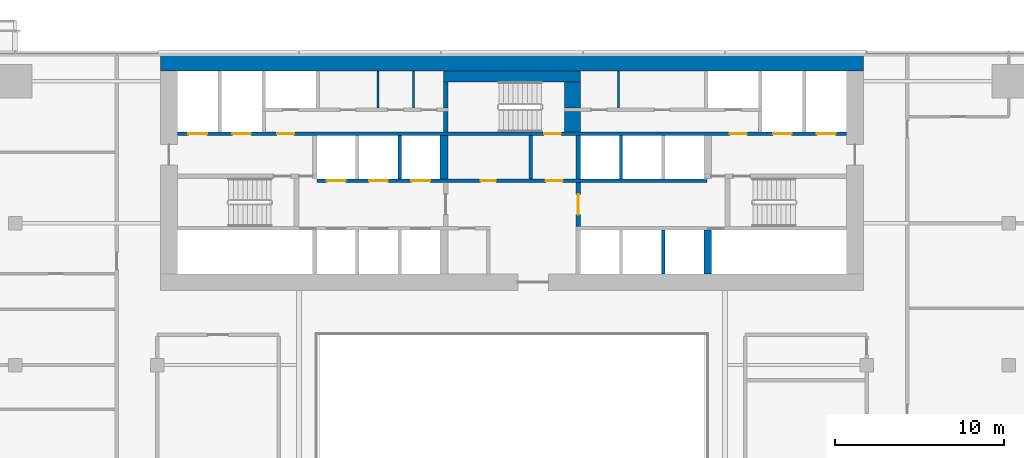
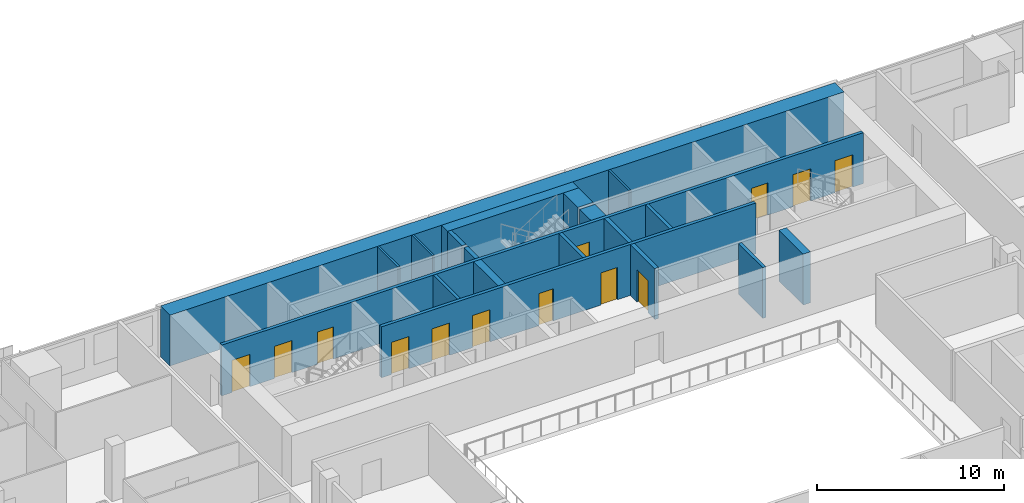
# One storey, part 21 of 29: 19 walls, 13 doors, 13 openings.
"""IFC4 building model written with IfcOpenShell, lengths in metres."""

from ifc_helpers import new_model, si_unit, direction, frame, frame_2d, origin, place, context, subcontext, project, spatial, rectangle, extrude, material, layer, layer_set, type_object, element, fill, save


model = new_model("IFC4")

# Units and contexts
model_context = context("Model", 3, precision=1e-05, world=origin(), true_north=direction((0.0, 1.0)))
body_context = subcontext(model_context, "Body", "Model", "MODEL_VIEW")
ifc_project = project(units=[si_unit("LENGTHUNIT", "METRE"), si_unit("AREAUNIT", "SQUARE_METRE"), si_unit("VOLUMEUNIT", "CUBIC_METRE"), si_unit("PLANEANGLEUNIT", "RADIAN"), si_unit("MASSUNIT", "GRAM", prefix="KILO")], contexts=[model_context])

# Site, building, storey
site_placement = place(None, origin())
site = spatial("IfcSite", under=ifc_project, at=site_placement, CompositionType="ELEMENT")
building_placement = place(site_placement, origin())
building = spatial("IfcBuilding", under=site, at=building_placement, Name="Saffron Gate Tower", CompositionType="ELEMENT")
storey_placement = place(building_placement, frame((0.0, 0.0, 106.050048828125)))
storey = spatial("IfcBuildingStorey", under=building, at=storey_placement, Name="L24", CompositionType="ELEMENT", Elevation=106.050048828125)

# Walls
ifc_material_1 = material(Name="Gypsum board partition on steel studs", Category="steel")
ifc_layer_1 = layer(ifc_material_1, 0.199951171875)
ifc_layer_set_1 = layer_set([ifc_layer_1], Name="CW10 Core partition 200")
wall_type_1 = type_object("IfcWallType", Name="CW10 Core partition 200", PredefinedType="PARTITIONING", material=ifc_layer_set_1)
wall_1_placement = place(storey_placement, frame((88.699951171875, 68.0, 0.0), z_axis=(0.0, 0.0, 1.0), x_axis=(0.0, 1.0, 0.0)))
element("IfcWall", 1, at=wall_1_placement, inside=storey, type_object=wall_type_1, Name="Wall CW10-L24-24", PredefinedType="PARTITIONING", context=body_context, shape_type="SweptSolid", body=[
    extrude(rectangle(XDim=2.60009765625, YDim=0.199951171875, at=frame_2d((1.300048828125, 0.0))), origin(), (0.0, 0.0, 1.0), 3.320068359375),
])
ifc_material_2 = material(Name="Concrete C70", Category="concrete")
ifc_layer_2 = layer(ifc_material_2, 1.0)
ifc_layer_set_2 = layer_set([ifc_layer_2], Name="CW12 RC core wall 1000 C70")
wall_type_2 = type_object("IfcWallType", Name="CW12 RC core wall 1000 C70", PredefinedType="SOLIDWALL", material=ifc_layer_set_2)
wall_2_placement = place(storey_placement, frame((66.800048828125, 74.89990234375, 0.0), z_axis=(0.0, 0.0, 1.0), x_axis=(1.0, 0.0, 0.0)))
element("IfcWall", 2, at=wall_2_placement, inside=storey, type_object=wall_type_2, Name="Wall CW12-L24-2", PredefinedType="SOLIDWALL", context=body_context, shape_type="SweptSolid", body=[
    extrude(rectangle(XDim=41.599853515625, YDim=1.0, at=frame_2d((20.7998046875, 0.0))), origin(), (0.0, 0.0, 1.0), 3.320068359375),
])

# Wall, opening, door
ifc_layer_3 = layer(ifc_material_2, 0.25)
ifc_layer_set_3 = layer_set([ifc_layer_3], Name="CW2 RC core wall 250 C70")
wall_type_3 = type_object("IfcWallType", Name="CW2 RC core wall 250 C70", PredefinedType="SOLIDWALL", material=ifc_layer_set_3)
wall_3_placement = place(storey_placement, frame((91.52490234375, 65.199951171875, 0.0), z_axis=(0.0, 0.0, 1.0), x_axis=(0.0, 1.0, 0.0)))
wall_3 = element("IfcWall", 3, at=wall_3_placement, inside=storey, type_object=wall_type_3, Name="Wall CW2-L24-18", PredefinedType="SOLIDWALL", context=body_context, shape_type="SweptSolid", body=[
    extrude(rectangle(XDim=2.60009765625, YDim=0.25, at=frame_2d((1.300048828125, 0.0))), origin(), (0.0, 0.0, 1.0), 3.320068359375),
])
opening_1_placement = place(wall_3_placement, frame((0.699951171875, 0.0, 0.0)))
opening_1 = element("IfcOpeningElement", 4, at=opening_1_placement, cuts=wall_3, Name="Opening CR-01", PredefinedType="OPENING", context=body_context, shape_type="SweptSolid", body=[
    extrude(rectangle(XDim=1.199951171875, YDim=2.10009765625, at=frame_2d((0.60009765625, 1.050048828125))), frame((0.0, 0.135009765625, 0.0), z_axis=(0.0, -1.0, 0.0), x_axis=(1.0, 0.0, 0.0)), (0.0, 0.0, 1.0), 0.27001953125),
])
ifc_material_3 = material(Name="Steel fire door set", Category="steel")
door_type_1 = type_object("IfcDoorType", Name="CD3 Lobby door 1200x2100 EI 120", OperationType="NOTDEFINED", PredefinedType="DOOR", material=ifc_material_3)
door_1_placement = place(opening_1_placement, origin())
door_1 = element("IfcDoor", 5, at=door_1_placement, inside=storey, type_object=door_type_1, Name="DOOR CR-01", OperationType="SINGLE_SWING_RIGHT", OverallHeight=2.10009765625, OverallWidth=1.199951171875, PredefinedType="DOOR", context=body_context, shape_type="SweptSolid", body=[
    extrude(rectangle(XDim=1.199951171875, YDim=2.10009765625, at=frame_2d((0.60009765625, 1.050048828125))), frame((0.0, 0.02490234375, 0.0), z_axis=(0.0, -1.0, 0.0), x_axis=(1.0, 0.0, 0.0)), (0.0, 0.0, 1.0), 0.050048828125),
])
fill(opening_1, door_1)

# Walls
wall_4_placement = place(storey_placement, frame((91.52490234375, 68.0, 0.0), z_axis=(0.0, 0.0, 1.0), x_axis=(0.0, 1.0, 0.0)))
element("IfcWall", 6, at=wall_4_placement, inside=storey, type_object=wall_type_3, Name="Wall CW2-L24-25", PredefinedType="SOLIDWALL", context=body_context, shape_type="SweptSolid", body=[
    extrude(rectangle(XDim=2.60009765625, YDim=0.25, at=frame_2d((1.300048828125, 0.0))), origin(), (0.0, 0.0, 1.0), 3.320068359375),
])
wall_5_placement = place(storey_placement, frame((83.675048828125, 70.800048828125, 0.0), z_axis=(0.0, 0.0, 1.0), x_axis=(0.0, 1.0, 0.0)))
element("IfcWall", 7, at=wall_5_placement, inside=storey, type_object=wall_type_3, Name="Wall CW2-L24-36", PredefinedType="SOLIDWALL", context=body_context, shape_type="SweptSolid", body=[
    extrude(rectangle(XDim=1.199951171875, YDim=0.25, at=frame_2d((0.60009765625, 0.0))), origin(), (0.0, 0.0, 1.0), 3.320068359375),
])
wall_6_placement = place(storey_placement, frame((83.675048828125, 72.199951171875, 0.0), z_axis=(0.0, 0.0, 1.0), x_axis=(0.0, 1.0, 0.0)))
element("IfcWall", 8, at=wall_6_placement, inside=storey, type_object=wall_type_3, Name="Wall CW2-L24-46", PredefinedType="SOLIDWALL", context=body_context, shape_type="SweptSolid", body=[
    extrude(rectangle(XDim=1.550048828125, YDim=0.25, at=frame_2d((0.77490234375, 0.0))), origin(), (0.0, 0.0, 1.0), 3.320068359375),
])
ifc_layer_4 = layer(ifc_material_2, 0.199951171875)
ifc_layer_set_4 = layer_set([ifc_layer_4], Name="CW3 RC core wall 200 C70")
wall_type_4 = type_object("IfcWallType", Name="CW3 RC core wall 200 C70", PredefinedType="SOLIDWALL", material=ifc_layer_set_4)
wall_7_placement = place(storey_placement, frame((96.550048828125, 62.39990234375, 0.0), z_axis=(0.0, 0.0, 1.0), x_axis=(0.0, 1.0, 0.0)))
element("IfcWall", 9, at=wall_7_placement, inside=storey, type_object=wall_type_4, Name="Wall CW3-L24-12", PredefinedType="SOLIDWALL", context=body_context, shape_type="SweptSolid", body=[
    extrude(rectangle(XDim=2.60009765625, YDim=0.199951171875, at=frame_2d((1.300048828125, 0.0))), origin(), (0.0, 0.0, 1.0), 3.320068359375),
])

# Wall, openings, doors
wall_8_placement = place(storey_placement, frame((76.050048828125, 67.89990234375, 0.0), z_axis=(0.0, 0.0, 1.0), x_axis=(1.0, 0.0, 0.0)))
wall_8 = element("IfcWall", 10, at=wall_8_placement, inside=storey, type_object=wall_type_4, Name="Wall CW3-L24-20", PredefinedType="SOLIDWALL", context=body_context, shape_type="SweptSolid", body=[
    extrude(rectangle(XDim=23.099853515625, YDim=0.199951171875, at=frame_2d((11.5498046875, 0.0))), origin(), (0.0, 0.0, 1.0), 3.320068359375),
])
opening_2_placement = place(wall_8_placement, frame((0.60009765625, 0.0, 0.0)))
opening_2 = element("IfcOpeningElement", 11, at=opening_2_placement, cuts=wall_8, Name="Opening LD-LR4", PredefinedType="OPENING", context=body_context, shape_type="SweptSolid", body=[
    extrude(rectangle(XDim=1.10009765625, YDim=2.10009765625, at=frame_2d((0.550048828125, 1.050048828125))), frame((0.0, 0.10986328125, 0.0), z_axis=(0.0, -1.0, 0.0), x_axis=(1.0, 0.0, 0.0)), (0.0, 0.0, 1.0), 0.219970703125),
])
opening_3_placement = place(wall_8_placement, frame((3.10009765625, 0.0, 0.0)))
opening_3 = element("IfcOpeningElement", 12, at=opening_3_placement, cuts=wall_8, Name="Opening LD-LR5", PredefinedType="OPENING", context=body_context, shape_type="SweptSolid", body=[
    extrude(rectangle(XDim=1.10009765625, YDim=2.10009765625, at=frame_2d((0.550048828125, 1.050048828125))), frame((0.0, 0.10986328125, 0.0), z_axis=(0.0, -1.0, 0.0), x_axis=(1.0, 0.0, 0.0)), (0.0, 0.0, 1.0), 0.219970703125),
])
opening_4_placement = place(wall_8_placement, frame((5.60009765625, 0.0, 0.0)))
opening_4 = element("IfcOpeningElement", 13, at=opening_4_placement, cuts=wall_8, Name="Opening LD-LR6", PredefinedType="OPENING", context=body_context, shape_type="SweptSolid", body=[
    extrude(rectangle(XDim=1.10009765625, YDim=2.10009765625, at=frame_2d((0.550048828125, 1.050048828125))), frame((0.0, 0.10986328125, 0.0), z_axis=(0.0, -1.0, 0.0), x_axis=(1.0, 0.0, 0.0)), (0.0, 0.0, 1.0), 0.219970703125),
])
opening_5_placement = place(wall_8_placement, frame((9.699951171875, 0.0, 0.0)))
opening_5 = element("IfcOpeningElement", 14, at=opening_5_placement, cuts=wall_8, Name="Opening CR-67", PredefinedType="OPENING", context=body_context, shape_type="SweptSolid", body=[
    extrude(rectangle(XDim=0.89990234375, YDim=2.10009765625, at=frame_2d((0.449951171875, 1.050048828125))), frame((0.0, 0.10986328125, 0.0), z_axis=(0.0, -1.0, 0.0), x_axis=(1.0, 0.0, 0.0)), (0.0, 0.0, 1.0), 0.219970703125),
])
opening_6_placement = place(wall_8_placement, frame((13.550048828125, 0.0, 0.0)))
opening_6 = element("IfcOpeningElement", 15, at=opening_6_placement, cuts=wall_8, Name="Opening CR-02", PredefinedType="OPENING", context=body_context, shape_type="SweptSolid", body=[
    extrude(rectangle(XDim=1.0, YDim=2.10009765625, at=frame_2d((0.5, 1.050048828125))), frame((0.0, 0.10986328125, 0.0), z_axis=(0.0, -1.0, 0.0), x_axis=(1.0, 0.0, 0.0)), (0.0, 0.0, 1.0), 0.219970703125),
])
door_type_2 = type_object("IfcDoorType", Name="CD4 Lobby door 1000x2100 EI 120", OperationType="NOTDEFINED", PredefinedType="DOOR", material=ifc_material_3)
door_2_placement = place(opening_6_placement, origin())
door_2 = element("IfcDoor", 16, at=door_2_placement, inside=storey, type_object=door_type_2, Name="DOOR CR-02", OperationType="SINGLE_SWING_LEFT", OverallHeight=2.10009765625, OverallWidth=1.0, PredefinedType="DOOR", context=body_context, shape_type="SweptSolid", body=[
    extrude(rectangle(XDim=1.0, YDim=2.10009765625, at=frame_2d((0.5, 1.050048828125))), frame((0.0, 0.02490234375, 0.0), z_axis=(0.0, -1.0, 0.0), x_axis=(1.0, 0.0, 0.0)), (0.0, 0.0, 1.0), 0.050048828125),
])
fill(opening_6, door_2)
door_type_3 = type_object("IfcDoorType", Name="CD9 Room door 900x2100 EI 60", OperationType="NOTDEFINED", PredefinedType="DOOR", material=ifc_material_3)
door_3_placement = place(opening_5_placement, origin())
door_3 = element("IfcDoor", 17, at=door_3_placement, inside=storey, type_object=door_type_3, Name="DOOR CR-67", OperationType="SINGLE_SWING_LEFT", OverallHeight=2.10009765625, OverallWidth=0.89990234375, PredefinedType="DOOR", context=body_context, shape_type="SweptSolid", body=[
    extrude(rectangle(XDim=0.89990234375, YDim=2.10009765625, at=frame_2d((0.449951171875, 1.050048828125))), frame((0.0, 0.02490234375, 0.0), z_axis=(0.0, -1.0, 0.0), x_axis=(1.0, 0.0, 0.0)), (0.0, 0.0, 1.0), 0.050048828125),
])
fill(opening_5, door_3)
ifc_material_4 = material(Name="Stainless steel landing door", Category="steel")
door_type_4 = type_object("IfcDoorType", Name="LD Lift landing door 1100x2100 EI 120", OperationType="SLIDING_TO_LEFT", PredefinedType="DOOR", material=ifc_material_4)
door_4_placement = place(opening_2_placement, origin())
door_4 = element("IfcDoor", 18, at=door_4_placement, inside=storey, type_object=door_type_4, Name="LANDING DOOR LD-LR4", OperationType="SLIDING_TO_RIGHT", OverallHeight=2.10009765625, OverallWidth=1.10009765625, PredefinedType="DOOR", context=body_context, shape_type="SweptSolid", body=[
    extrude(rectangle(XDim=1.10009765625, YDim=2.10009765625, at=frame_2d((0.550048828125, 1.050048828125))), frame((0.0, 0.02490234375, 0.0), z_axis=(0.0, -1.0, 0.0), x_axis=(1.0, 0.0, 0.0)), (0.0, 0.0, 1.0), 0.050048828125),
])
fill(opening_2, door_4)
door_5_placement = place(opening_3_placement, origin())
door_5 = element("IfcDoor", 19, at=door_5_placement, inside=storey, type_object=door_type_4, Name="LANDING DOOR LD-LR5", OperationType="SLIDING_TO_RIGHT", OverallHeight=2.10009765625, OverallWidth=1.10009765625, PredefinedType="DOOR", context=body_context, shape_type="SweptSolid", body=[
    extrude(rectangle(XDim=1.10009765625, YDim=2.10009765625, at=frame_2d((0.550048828125, 1.050048828125))), frame((0.0, 0.02490234375, 0.0), z_axis=(0.0, -1.0, 0.0), x_axis=(1.0, 0.0, 0.0)), (0.0, 0.0, 1.0), 0.050048828125),
])
fill(opening_3, door_5)
door_6_placement = place(opening_4_placement, origin())
door_6 = element("IfcDoor", 20, at=door_6_placement, inside=storey, type_object=door_type_4, Name="LANDING DOOR LD-LR6", OperationType="SLIDING_TO_RIGHT", OverallHeight=2.10009765625, OverallWidth=1.10009765625, PredefinedType="DOOR", context=body_context, shape_type="SweptSolid", body=[
    extrude(rectangle(XDim=1.10009765625, YDim=2.10009765625, at=frame_2d((0.550048828125, 1.050048828125))), frame((0.0, 0.02490234375, 0.0), z_axis=(0.0, -1.0, 0.0), x_axis=(1.0, 0.0, 0.0)), (0.0, 0.0, 1.0), 0.050048828125),
])
fill(opening_4, door_6)

# Walls
for number, where, z_axis, x_axis, name in (
    (21, (80.949951171875, 68.0, 0.0), (0.0, 0.0, 1.0), (0.0, 1.0, 0.0), "Wall CW3-L24-22"),
    (22, (94.050048828125, 68.0, 0.0), (0.0, 0.0, 1.0), (0.0, 1.0, 0.0), "Wall CW3-L24-26"),
):
    element("IfcWall", number, at=place(storey_placement, frame(where, z_axis=z_axis, x_axis=x_axis)), inside=storey, type_object=wall_type_4, Name=name, PredefinedType="SOLIDWALL", context=body_context, shape_type="SweptSolid", body=[
        extrude(rectangle(XDim=2.60009765625, YDim=0.199951171875, at=frame_2d((1.300048828125, 0.0))), origin(), (0.0, 0.0, 1.0), 3.320068359375),
    ])

# Wall, openings, doors
wall_9_placement = place(storey_placement, frame((67.800048828125, 70.699951171875, 0.0), z_axis=(0.0, 0.0, 1.0), x_axis=(1.0, 0.0, 0.0)))
wall_9 = element("IfcWall", 23, at=wall_9_placement, inside=storey, type_object=wall_type_4, Name="Wall CW3-L24-33", PredefinedType="SOLIDWALL", context=body_context, shape_type="SweptSolid", body=[
    extrude(rectangle(XDim=39.599853515625, YDim=0.199951171875, at=frame_2d((19.7998046875, 0.0))), origin(), (0.0, 0.0, 1.0), 3.320068359375),
])
opening_7_placement = place(wall_9_placement, frame((0.64990234375, 0.0, 0.0)))
opening_7 = element("IfcOpeningElement", 24, at=opening_7_placement, cuts=wall_9, Name="Opening LD-FF1", PredefinedType="OPENING", context=body_context, shape_type="SweptSolid", body=[
    extrude(rectangle(XDim=1.10009765625, YDim=2.10009765625, at=frame_2d((0.550048828125, 1.050048828125))), frame((0.0, 0.10986328125, 0.0), z_axis=(0.0, -1.0, 0.0), x_axis=(1.0, 0.0, 0.0)), (0.0, 0.0, 1.0), 0.219970703125),
])
opening_8_placement = place(wall_9_placement, frame((3.25, 0.0, 0.0)))
opening_8 = element("IfcOpeningElement", 25, at=opening_8_placement, cuts=wall_9, Name="Opening LD-SV1", PredefinedType="OPENING", context=body_context, shape_type="SweptSolid", body=[
    extrude(rectangle(XDim=1.10009765625, YDim=2.10009765625, at=frame_2d((0.550048828125, 1.050048828125))), frame((0.0, 0.10986328125, 0.0), z_axis=(0.0, -1.0, 0.0), x_axis=(1.0, 0.0, 0.0)), (0.0, 0.0, 1.0), 0.219970703125),
])
opening_9_placement = place(wall_9_placement, frame((5.89990234375, 0.0, 0.0)))
opening_9 = element("IfcOpeningElement", 26, at=opening_9_placement, cuts=wall_9, Name="Opening CR-03", PredefinedType="OPENING", context=body_context, shape_type="SweptSolid", body=[
    extrude(rectangle(XDim=1.0, YDim=2.10009765625, at=frame_2d((0.5, 1.050048828125))), frame((0.0, 0.10986328125, 0.0), z_axis=(0.0, -1.0, 0.0), x_axis=(1.0, 0.0, 0.0)), (0.0, 0.0, 1.0), 0.219970703125),
])
opening_10_placement = place(wall_9_placement, frame((21.699951171875, 0.0, 0.0)))
opening_10 = element("IfcOpeningElement", 27, at=opening_10_placement, cuts=wall_9, Name="Opening CR-17", PredefinedType="OPENING", context=body_context, shape_type="SweptSolid", body=[
    extrude(rectangle(XDim=1.0, YDim=2.10009765625, at=frame_2d((0.5, 1.050048828125))), frame((0.0, 0.10986328125, 0.0), z_axis=(0.0, -1.0, 0.0), x_axis=(1.0, 0.0, 0.0)), (0.0, 0.0, 1.0), 0.219970703125),
])
opening_11_placement = place(wall_9_placement, frame((32.699951171875, 0.0, 0.0)))
opening_11 = element("IfcOpeningElement", 28, at=opening_11_placement, cuts=wall_9, Name="Opening CR-04", PredefinedType="OPENING", context=body_context, shape_type="SweptSolid", body=[
    extrude(rectangle(XDim=1.0, YDim=2.10009765625, at=frame_2d((0.5, 1.050048828125))), frame((0.0, 0.10986328125, 0.0), z_axis=(0.0, -1.0, 0.0), x_axis=(1.0, 0.0, 0.0)), (0.0, 0.0, 1.0), 0.219970703125),
])
opening_12_placement = place(wall_9_placement, frame((35.25, 0.0, 0.0)))
opening_12 = element("IfcOpeningElement", 29, at=opening_12_placement, cuts=wall_9, Name="Opening LD-SV2", PredefinedType="OPENING", context=body_context, shape_type="SweptSolid", body=[
    extrude(rectangle(XDim=1.10009765625, YDim=2.10009765625, at=frame_2d((0.550048828125, 1.050048828125))), frame((0.0, 0.10986328125, 0.0), z_axis=(0.0, -1.0, 0.0), x_axis=(1.0, 0.0, 0.0)), (0.0, 0.0, 1.0), 0.219970703125),
])
opening_13_placement = place(wall_9_placement, frame((37.85009765625, 0.0, 0.0)))
opening_13 = element("IfcOpeningElement", 30, at=opening_13_placement, cuts=wall_9, Name="Opening LD-FF2", PredefinedType="OPENING", context=body_context, shape_type="SweptSolid", body=[
    extrude(rectangle(XDim=1.10009765625, YDim=2.10009765625, at=frame_2d((0.550048828125, 1.050048828125))), frame((0.0, 0.10986328125, 0.0), z_axis=(0.0, -1.0, 0.0), x_axis=(1.0, 0.0, 0.0)), (0.0, 0.0, 1.0), 0.219970703125),
])
door_7_placement = place(opening_9_placement, origin())
door_7 = element("IfcDoor", 31, at=door_7_placement, inside=storey, type_object=door_type_2, Name="DOOR CR-03", OperationType="SINGLE_SWING_LEFT", OverallHeight=2.10009765625, OverallWidth=1.0, PredefinedType="DOOR", context=body_context, shape_type="SweptSolid", body=[
    extrude(rectangle(XDim=1.0, YDim=2.10009765625, at=frame_2d((0.5, 1.050048828125))), frame((0.0, 0.02490234375, 0.0), z_axis=(0.0, -1.0, 0.0), x_axis=(1.0, 0.0, 0.0)), (0.0, 0.0, 1.0), 0.050048828125),
])
fill(opening_9, door_7)
door_8_placement = place(opening_11_placement, origin())
door_8 = element("IfcDoor", 32, at=door_8_placement, inside=storey, type_object=door_type_2, Name="DOOR CR-04", OperationType="SINGLE_SWING_RIGHT", OverallHeight=2.10009765625, OverallWidth=1.0, PredefinedType="DOOR", context=body_context, shape_type="SweptSolid", body=[
    extrude(rectangle(XDim=1.0, YDim=2.10009765625, at=frame_2d((0.5, 1.050048828125))), frame((0.0, 0.02490234375, 0.0), z_axis=(0.0, -1.0, 0.0), x_axis=(1.0, 0.0, 0.0)), (0.0, 0.0, 1.0), 0.050048828125),
])
fill(opening_11, door_8)
door_type_5 = type_object("IfcDoorType", Name="CD5 Stair door 1000x2100 EI 120", OperationType="NOTDEFINED", PredefinedType="DOOR", material=ifc_material_3)
door_9_placement = place(opening_10_placement, origin())
door_9 = element("IfcDoor", 33, at=door_9_placement, inside=storey, type_object=door_type_5, Name="DOOR CR-17", OperationType="SINGLE_SWING_RIGHT", OverallHeight=2.10009765625, OverallWidth=1.0, PredefinedType="DOOR", context=body_context, shape_type="SweptSolid", body=[
    extrude(rectangle(XDim=1.0, YDim=2.10009765625, at=frame_2d((0.5, 1.050048828125))), frame((0.0, 0.02490234375, 0.0), z_axis=(0.0, -1.0, 0.0), x_axis=(1.0, 0.0, 0.0)), (0.0, 0.0, 1.0), 0.050048828125),
])
fill(opening_10, door_9)
door_10_placement = place(opening_7_placement, origin())
door_10 = element("IfcDoor", 34, at=door_10_placement, inside=storey, type_object=door_type_4, Name="LANDING DOOR LD-FF1", OperationType="SLIDING_TO_RIGHT", OverallHeight=2.10009765625, OverallWidth=1.10009765625, PredefinedType="DOOR", context=body_context, shape_type="SweptSolid", body=[
    extrude(rectangle(XDim=1.10009765625, YDim=2.10009765625, at=frame_2d((0.550048828125, 1.050048828125))), frame((0.0, 0.02490234375, 0.0), z_axis=(0.0, -1.0, 0.0), x_axis=(1.0, 0.0, 0.0)), (0.0, 0.0, 1.0), 0.050048828125),
])
fill(opening_7, door_10)
door_11_placement = place(opening_8_placement, origin())
door_11 = element("IfcDoor", 35, at=door_11_placement, inside=storey, type_object=door_type_4, Name="LANDING DOOR LD-SV1", OperationType="SLIDING_TO_RIGHT", OverallHeight=2.10009765625, OverallWidth=1.10009765625, PredefinedType="DOOR", context=body_context, shape_type="SweptSolid", body=[
    extrude(rectangle(XDim=1.10009765625, YDim=2.10009765625, at=frame_2d((0.550048828125, 1.050048828125))), frame((0.0, 0.02490234375, 0.0), z_axis=(0.0, -1.0, 0.0), x_axis=(1.0, 0.0, 0.0)), (0.0, 0.0, 1.0), 0.050048828125),
])
fill(opening_8, door_11)
door_12_placement = place(opening_12_placement, origin())
door_12 = element("IfcDoor", 36, at=door_12_placement, inside=storey, type_object=door_type_4, Name="LANDING DOOR LD-SV2", OperationType="SLIDING_TO_RIGHT", OverallHeight=2.10009765625, OverallWidth=1.10009765625, PredefinedType="DOOR", context=body_context, shape_type="SweptSolid", body=[
    extrude(rectangle(XDim=1.10009765625, YDim=2.10009765625, at=frame_2d((0.550048828125, 1.050048828125))), frame((0.0, 0.02490234375, 0.0), z_axis=(0.0, -1.0, 0.0), x_axis=(1.0, 0.0, 0.0)), (0.0, 0.0, 1.0), 0.050048828125),
])
fill(opening_12, door_12)
door_13_placement = place(opening_13_placement, origin())
door_13 = element("IfcDoor", 37, at=door_13_placement, inside=storey, type_object=door_type_4, Name="LANDING DOOR LD-FF2", OperationType="SLIDING_TO_RIGHT", OverallHeight=2.10009765625, OverallWidth=1.10009765625, PredefinedType="DOOR", context=body_context, shape_type="SweptSolid", body=[
    extrude(rectangle(XDim=1.10009765625, YDim=2.10009765625, at=frame_2d((0.550048828125, 1.050048828125))), frame((0.0, 0.02490234375, 0.0), z_axis=(0.0, -1.0, 0.0), x_axis=(1.0, 0.0, 0.0)), (0.0, 0.0, 1.0), 0.050048828125),
])
fill(opening_13, door_13)

# Walls
ifc_layer_5 = layer(ifc_material_2, 0.449951171875)
ifc_layer_set_5 = layer_set([ifc_layer_5], Name="CW4 RC core wall 450 C70")
wall_type_5 = type_object("IfcWallType", Name="CW4 RC core wall 450 C70", PredefinedType="SOLIDWALL", material=ifc_layer_set_5)
for number, where, z_axis, x_axis, name in (
    (38, (99.175048828125, 62.39990234375, 0.0), (0.0, 0.0, 1.0), (0.0, 1.0, 0.0), "Wall CW4-L24-13"),
    (39, (83.574951171875, 68.0, 0.0), (0.0, 0.0, 1.0), (0.0, 1.0, 0.0), "Wall CW4-L24-23"),
):
    element("IfcWall", number, at=place(storey_placement, frame(where, z_axis=z_axis, x_axis=x_axis)), inside=storey, type_object=wall_type_5, Name=name, PredefinedType="SOLIDWALL", context=body_context, shape_type="SweptSolid", body=[
        extrude(rectangle(XDim=2.60009765625, YDim=0.449951171875, at=frame_2d((1.300048828125, 0.0))), origin(), (0.0, 0.0, 1.0), 3.320068359375),
    ])
ifc_layer_6 = layer(ifc_material_2, 0.949951171875)
ifc_layer_set_6 = layer_set([ifc_layer_6], Name="CW7 RC core wall 950 C70")
wall_type_6 = type_object("IfcWallType", Name="CW7 RC core wall 950 C70", PredefinedType="SOLIDWALL", material=ifc_layer_set_6)
wall_10_placement = place(storey_placement, frame((91.175048828125, 70.800048828125, 0.0), z_axis=(0.0, 0.0, 1.0), x_axis=(0.0, 1.0, 0.0)))
element("IfcWall", 40, at=wall_10_placement, inside=storey, type_object=wall_type_6, Name="Wall CW7-L24-37", PredefinedType="SOLIDWALL", context=body_context, shape_type="SweptSolid", body=[
    extrude(rectangle(XDim=1.199951171875, YDim=0.949951171875, at=frame_2d((0.60009765625, 0.0))), origin(), (0.0, 0.0, 1.0), 3.320068359375),
])
wall_11_placement = place(storey_placement, frame((91.175048828125, 72.199951171875, 0.0), z_axis=(0.0, 0.0, 1.0), x_axis=(0.0, 1.0, 0.0)))
element("IfcWall", 41, at=wall_11_placement, inside=storey, type_object=wall_type_6, Name="Wall CW7-L24-47", PredefinedType="SOLIDWALL", context=body_context, shape_type="SweptSolid", body=[
    extrude(rectangle(XDim=1.550048828125, YDim=0.949951171875, at=frame_2d((0.77490234375, 0.0))), origin(), (0.0, 0.0, 1.0), 3.320068359375),
])
ifc_layer_7 = layer(ifc_material_1, 0.1201171875)
ifc_layer_set_7 = layer_set([ifc_layer_7], Name="CW8 Core partition 120")
wall_type_7 = type_object("IfcWallType", Name="CW8 Core partition 120", PredefinedType="PARTITIONING", material=ifc_layer_set_7)
for number, where, z_axis, x_axis, name in (
    (42, (79.659912109375, 72.199951171875, 0.0), (0.0, 0.0, 1.0), (0.0, 1.0, 0.0), "Wall CW8-L24-44"),
    (43, (81.780029296875, 72.199951171875, 0.0), (0.0, 0.0, 1.0), (0.0, 1.0, 0.0), "Wall CW8-L24-45"),
    (44, (93.909912109375, 72.199951171875, 0.0), (0.0, 0.0, 1.0), (0.0, 1.0, 0.0), "Wall CW8-L24-48"),
):
    element("IfcWall", number, at=place(storey_placement, frame(where, z_axis=z_axis, x_axis=x_axis)), inside=storey, type_object=wall_type_7, Name=name, PredefinedType="PARTITIONING", context=body_context, shape_type="SweptSolid", body=[
        extrude(rectangle(XDim=2.199951171875, YDim=0.1201171875, at=frame_2d((1.10009765625, 0.0))), origin(), (0.0, 0.0, 1.0), 3.320068359375),
    ])
ifc_layer_8 = layer(ifc_material_2, 0.64990234375)
ifc_layer_set_8 = layer_set([ifc_layer_8], Name="CW9 RC core wall 650 C70")
wall_type_8 = type_object("IfcWallType", Name="CW9 RC core wall 650 C70", PredefinedType="SOLIDWALL", material=ifc_layer_set_8)
wall_12_placement = place(storey_placement, frame((83.550048828125, 74.074951171875, 0.0), z_axis=(0.0, 0.0, 1.0), x_axis=(1.0, 0.0, 0.0)))
element("IfcWall", 45, at=wall_12_placement, inside=storey, type_object=wall_type_8, Name="Wall CW9-L24-51", PredefinedType="SOLIDWALL", context=body_context, shape_type="SweptSolid", body=[
    extrude(rectangle(XDim=8.099853515625, YDim=0.64990234375, at=frame_2d((4.0498046875, 0.0))), origin(), (0.0, 0.0, 1.0), 3.320068359375),
])

save(model, "model.ifc")
